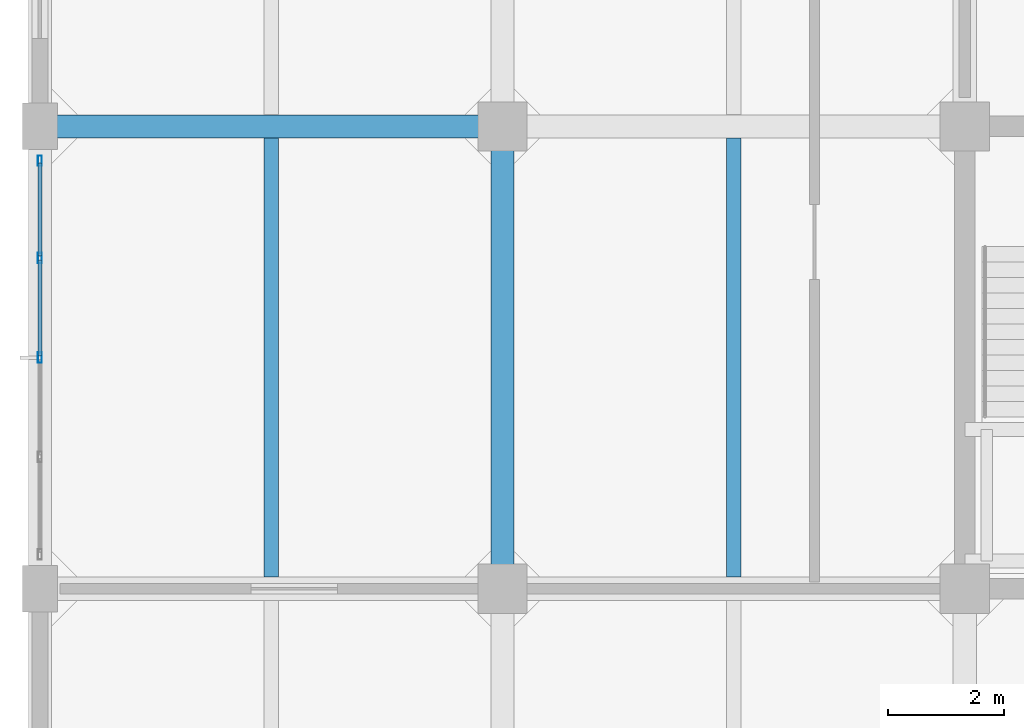
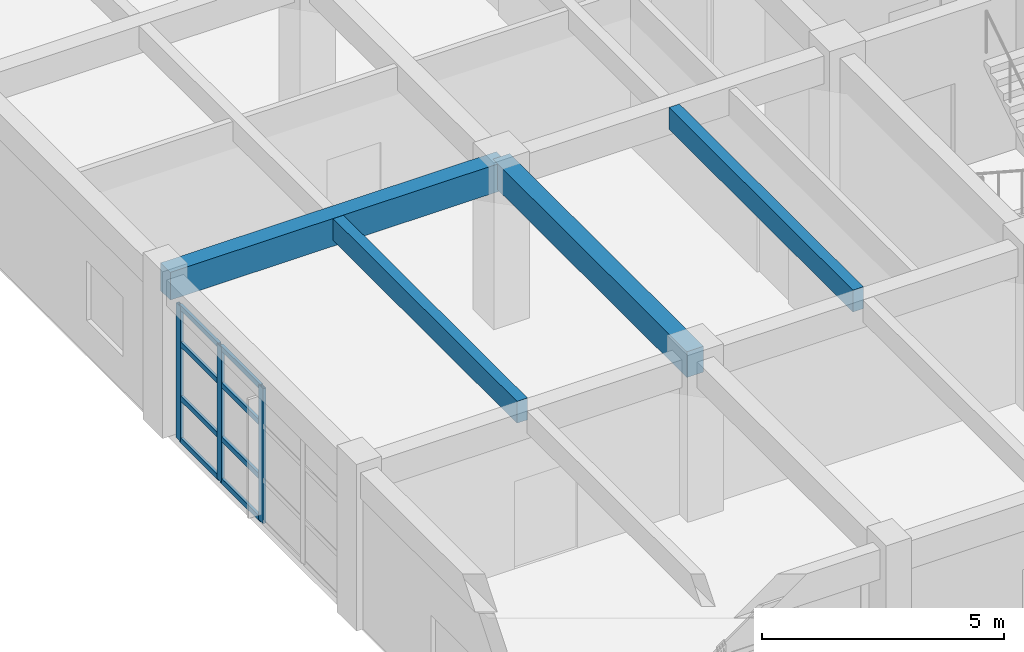
# One storey, part 8 of 30: 11 members, 4 beams, 1 element without a shape of its own.
"""IFC4 building model written with IfcOpenShell, lengths in metres."""

from ifc_helpers import new_model, si_unit, direction, frame, origin, origin_2d, place, context, subcontext, project, spatial, rectangle, hollow_rectangle, extrude, material, layer, layer_set, material_profile, profile_set, type_object, element, aggregate, save


model = new_model("IFC4")

# Units and contexts
model_context = context("Model", 3, precision=1e-05, world=origin(), true_north=direction((0.0, 1.0)))
body_context = subcontext(model_context, "Body", "Model", "MODEL_VIEW")
ifc_project = project(units=[si_unit("LENGTHUNIT", "METRE"), si_unit("AREAUNIT", "SQUARE_METRE"), si_unit("VOLUMEUNIT", "CUBIC_METRE"), si_unit("PLANEANGLEUNIT", "RADIAN"), si_unit("MASSUNIT", "GRAM", prefix="KILO")], contexts=[model_context])

# Site, building, storey
site_placement = place(None, origin())
site = spatial("IfcSite", under=ifc_project, at=site_placement, CompositionType="ELEMENT")
building_placement = place(site_placement, origin())
building = spatial("IfcBuilding", under=site, at=building_placement, Name="Canggui Botanical Conservatory", CompositionType="ELEMENT")
storey_placement = place(building_placement, frame((0.0, 0.0, 27.60009765625)))
storey = spatial("IfcBuildingStorey", under=building, at=storey_placement, Name="L07", CompositionType="ELEMENT", Elevation=27.60009765625)

# Beams
ifc_material_1 = material(Name="Concrete C35", Category="concrete")
ifc_material_profile_1 = material_profile(ifc_material_1, rectangle(XDim=0.25, YDim=0.550048828125, at=origin_2d()), Name="RB 250x550")
ifc_profile_set_1 = profile_set([ifc_material_profile_1], Name="Concrete C35")
beam_type_1 = type_object("IfcBeamType", Name="BM-JST03", PredefinedType="JOIST", material=ifc_profile_set_1)
for number, where, z_axis, x_axis, name in (
    (1, (142.0, 42.205078125, 3.684814453125), (0.0, 1.0, 0.0), (-1.0, 0.0, 0.0), "Secondary Floor Joist L07-1-2"),
    (2, (150.0, 42.205078125, 3.684814453125), (0.0, 1.0, 0.0), (-1.0, 0.0, 0.0), "Secondary Floor Joist L07-2-2"),
):
    element("IfcBeam", number, at=place(storey_placement, frame(where, z_axis=z_axis, x_axis=x_axis)), inside=storey, type_object=beam_type_1, Name=name, PredefinedType="JOIST", context=body_context, shape_type="SweptSolid", body=[
        extrude(rectangle(XDim=0.25, YDim=0.550048828125, at=origin_2d()), origin(), (0.0, 0.0, 1.0), 7.58984375),
    ])
ifc_material_profile_2 = material_profile(ifc_material_1, rectangle(XDim=0.39990234375, YDim=0.699951171875, at=origin_2d()), Name="RB 400x700")
ifc_profile_set_2 = profile_set([ifc_material_profile_2], Name="Concrete C35")
beam_type_2 = type_object("IfcBeamType", Name="BM-KL11", PredefinedType="BEAM", material=ifc_profile_set_2)
beam_1_placement = place(storey_placement, frame((138.0, 50.0, 3.60986328125), z_axis=(1.0, 0.0, 0.0), x_axis=(0.0, 1.0, 0.0)))
element("IfcBeam", 3, at=beam_1_placement, inside=storey, type_object=beam_type_2, Name="Frame Girder L07 Y50-1", PredefinedType="BEAM", context=body_context, shape_type="SweptSolid", body=[
    extrude(rectangle(XDim=0.39990234375, YDim=0.699951171875, at=origin_2d()), origin(), (0.0, 0.0, 1.0), 8.0),
])
ifc_material_profile_3 = material_profile(ifc_material_1, rectangle(XDim=0.39990234375, YDim=0.64990234375, at=origin_2d()), Name="RB 400x650")
ifc_profile_set_3 = profile_set([ifc_material_profile_3], Name="Concrete C35")
beam_type_3 = type_object("IfcBeamType", Name="BM-KL12", PredefinedType="BEAM", material=ifc_profile_set_3)
beam_2_placement = place(storey_placement, frame((146.0, 42.0, 3.635009765625), z_axis=(0.0, 1.0, 0.0), x_axis=(-1.0, 0.0, 0.0)))
element("IfcBeam", 4, at=beam_2_placement, inside=storey, type_object=beam_type_3, Name="Frame Girder L07 X146-2", PredefinedType="BEAM", context=body_context, shape_type="SweptSolid", body=[
    extrude(rectangle(XDim=0.39990234375, YDim=0.64990234375, at=origin_2d()), origin(), (0.0, 0.0, 1.0), 8.0),
])

# Curtain wall, members
ifc_material_2 = material(Name="Thermally Broken Aluminium", Category="aluminium")
ifc_layer = layer(ifc_material_2, 0.179931640625, Name="Thermally Broken Aluminium", Category="aluminium")
ifc_layer_set = layer_set([ifc_layer], Name="Thermally Broken Aluminium")
curtain_wall_type = type_object("IfcCurtainWallType", Name="CW-UNIT-A", PredefinedType="USERDEFINED", material=ifc_layer_set)
curtain_wall_placement = place(storey_placement, origin())
curtain_wall = element("IfcCurtainWall", 5, at=curtain_wall_placement, inside=storey, type_object=curtain_wall_type, Name="Facade Curtain Wall CW-TWR-L07-07", ObjectType="UNITISED CURTAIN WALL", PredefinedType="USERDEFINED")
ifc_material_profile_4 = material_profile(ifc_material_2, hollow_rectangle(XDim=0.070068359375, YDim=0.179931640625, WallThickness=0.00390625, at=origin_2d()), Name="CWM 70x180x4")
ifc_profile_set_4 = profile_set([ifc_material_profile_4], Name="Thermally Broken Aluminium")
member_type_1 = type_object("IfcMemberType", Name="CWM-01", PredefinedType="MULLION", material=ifc_profile_set_4)
member_1_placement = place(storey_placement, frame((138.0, 46.0, 0.0), z_axis=(0.0, 0.0, 1.0), x_axis=(-1.0, 0.0, 0.0)))
member_1 = element("IfcMember", 6, at=member_1_placement, type_object=member_type_1, Name="CW-01 mullion 3", PredefinedType="MULLION", context=body_context, shape_type="SweptSolid", body=[
    extrude(hollow_rectangle(XDim=0.070068359375, YDim=0.179931640625, WallThickness=0.00390625, at=origin_2d()), origin(), (0.0, 0.0, 1.0), 3.39990234375),
])
member_2_placement = place(storey_placement, frame((138.0, 47.719970703125, 0.0), z_axis=(0.0, 0.0, 1.0), x_axis=(-1.0, 0.0, 0.0)))
member_2 = element("IfcMember", 7, at=member_2_placement, type_object=member_type_1, Name="CW-01 mullion 4", PredefinedType="MULLION", context=body_context, shape_type="SweptSolid", body=[
    extrude(hollow_rectangle(XDim=0.070068359375, YDim=0.179931640625, WallThickness=0.00390625, at=origin_2d()), origin(), (0.0, 0.0, 1.0), 3.39990234375),
])
member_3_placement = place(storey_placement, frame((138.0, 49.405029296875, 0.0), z_axis=(0.0, 0.0, 1.0), x_axis=(-1.0, 0.0, 0.0)))
member_3 = element("IfcMember", 8, at=member_3_placement, type_object=member_type_1, Name="CW-01 mullion 5", PredefinedType="MULLION", context=body_context, shape_type="SweptSolid", body=[
    extrude(hollow_rectangle(XDim=0.070068359375, YDim=0.179931640625, WallThickness=0.00390625, at=origin_2d()), origin(), (0.0, 0.0, 1.0), 3.39990234375),
])
ifc_material_profile_5 = material_profile(ifc_material_2, hollow_rectangle(XDim=0.06494140625, YDim=0.1298828125, WallThickness=0.00341796875, at=origin_2d()), Name="CWT 65x130x3.5")
ifc_profile_set_5 = profile_set([ifc_material_profile_5], Name="Thermally Broken Aluminium")
member_type_2 = type_object("IfcMemberType", Name="CWT-01", PredefinedType="USERDEFINED", material=ifc_profile_set_5)
member_4_placement = place(storey_placement, frame((138.0, 46.034912109375, 0.032470703125), z_axis=(0.0, 1.0, 0.0), x_axis=(-1.0, 0.0, 0.0)))
member_4 = element("IfcMember", 9, at=member_4_placement, type_object=member_type_2, Name="CW-01 transom 3.1", ObjectType="TRANSOM", PredefinedType="USERDEFINED", context=body_context, shape_type="SweptSolid", body=[
    extrude(hollow_rectangle(XDim=0.06494140625, YDim=0.1298828125, WallThickness=0.00341796875, at=origin_2d()), origin(), (0.0, 0.0, 1.0), 1.650146484375),
])
member_5_placement = place(storey_placement, frame((138.0, 46.034912109375, 1.087890625), z_axis=(0.0, 1.0, 0.0), x_axis=(-1.0, 0.0, 0.0)))
member_5 = element("IfcMember", 10, at=member_5_placement, type_object=member_type_2, Name="CW-01 transom 3.2", ObjectType="TRANSOM", PredefinedType="USERDEFINED", context=body_context, shape_type="SweptSolid", body=[
    extrude(hollow_rectangle(XDim=0.06494140625, YDim=0.1298828125, WallThickness=0.00341796875, at=origin_2d()), origin(), (0.0, 0.0, 1.0), 1.650146484375),
])
member_6_placement = place(storey_placement, frame((138.0, 46.034912109375, 2.447998046875), z_axis=(0.0, 1.0, 0.0), x_axis=(-1.0, 0.0, 0.0)))
member_6 = element("IfcMember", 11, at=member_6_placement, type_object=member_type_2, Name="CW-01 transom 3.3", ObjectType="TRANSOM", PredefinedType="USERDEFINED", context=body_context, shape_type="SweptSolid", body=[
    extrude(hollow_rectangle(XDim=0.06494140625, YDim=0.1298828125, WallThickness=0.00341796875, at=origin_2d()), origin(), (0.0, 0.0, 1.0), 1.650146484375),
])
member_7_placement = place(storey_placement, frame((138.0, 46.034912109375, 3.367431640625), z_axis=(0.0, 1.0, 0.0), x_axis=(-1.0, 0.0, 0.0)))
member_7 = element("IfcMember", 12, at=member_7_placement, type_object=member_type_2, Name="CW-01 transom 3.4", ObjectType="TRANSOM", PredefinedType="USERDEFINED", context=body_context, shape_type="SweptSolid", body=[
    extrude(hollow_rectangle(XDim=0.06494140625, YDim=0.1298828125, WallThickness=0.00341796875, at=origin_2d()), origin(), (0.0, 0.0, 1.0), 1.650146484375),
])
member_8_placement = place(storey_placement, frame((138.0, 47.7548828125, 0.032470703125), z_axis=(0.0, 1.0, 0.0), x_axis=(-1.0, 0.0, 0.0)))
member_8 = element("IfcMember", 13, at=member_8_placement, type_object=member_type_2, Name="CW-01 transom 4.1", ObjectType="TRANSOM", PredefinedType="USERDEFINED", context=body_context, shape_type="SweptSolid", body=[
    extrude(hollow_rectangle(XDim=0.06494140625, YDim=0.1298828125, WallThickness=0.00341796875, at=origin_2d()), origin(), (0.0, 0.0, 1.0), 1.615234375),
])
member_9_placement = place(storey_placement, frame((138.0, 47.7548828125, 1.087890625), z_axis=(0.0, 1.0, 0.0), x_axis=(-1.0, 0.0, 0.0)))
member_9 = element("IfcMember", 14, at=member_9_placement, type_object=member_type_2, Name="CW-01 transom 4.2", ObjectType="TRANSOM", PredefinedType="USERDEFINED", context=body_context, shape_type="SweptSolid", body=[
    extrude(hollow_rectangle(XDim=0.06494140625, YDim=0.1298828125, WallThickness=0.00341796875, at=origin_2d()), origin(), (0.0, 0.0, 1.0), 1.615234375),
])
member_10_placement = place(storey_placement, frame((138.0, 47.7548828125, 2.447998046875), z_axis=(0.0, 1.0, 0.0), x_axis=(-1.0, 0.0, 0.0)))
member_10 = element("IfcMember", 15, at=member_10_placement, type_object=member_type_2, Name="CW-01 transom 4.3", ObjectType="TRANSOM", PredefinedType="USERDEFINED", context=body_context, shape_type="SweptSolid", body=[
    extrude(hollow_rectangle(XDim=0.06494140625, YDim=0.1298828125, WallThickness=0.00341796875, at=origin_2d()), origin(), (0.0, 0.0, 1.0), 1.615234375),
])
member_11_placement = place(storey_placement, frame((138.0, 47.7548828125, 3.367431640625), z_axis=(0.0, 1.0, 0.0), x_axis=(-1.0, 0.0, 0.0)))
member_11 = element("IfcMember", 16, at=member_11_placement, type_object=member_type_2, Name="CW-01 transom 4.4", ObjectType="TRANSOM", PredefinedType="USERDEFINED", context=body_context, shape_type="SweptSolid", body=[
    extrude(hollow_rectangle(XDim=0.06494140625, YDim=0.1298828125, WallThickness=0.00341796875, at=origin_2d()), origin(), (0.0, 0.0, 1.0), 1.615234375),
])
aggregate(curtain_wall, [member_1, member_2, member_3, member_4, member_5, member_6, member_7, member_8, member_9, member_10, member_11])

save(model, "model.ifc")
